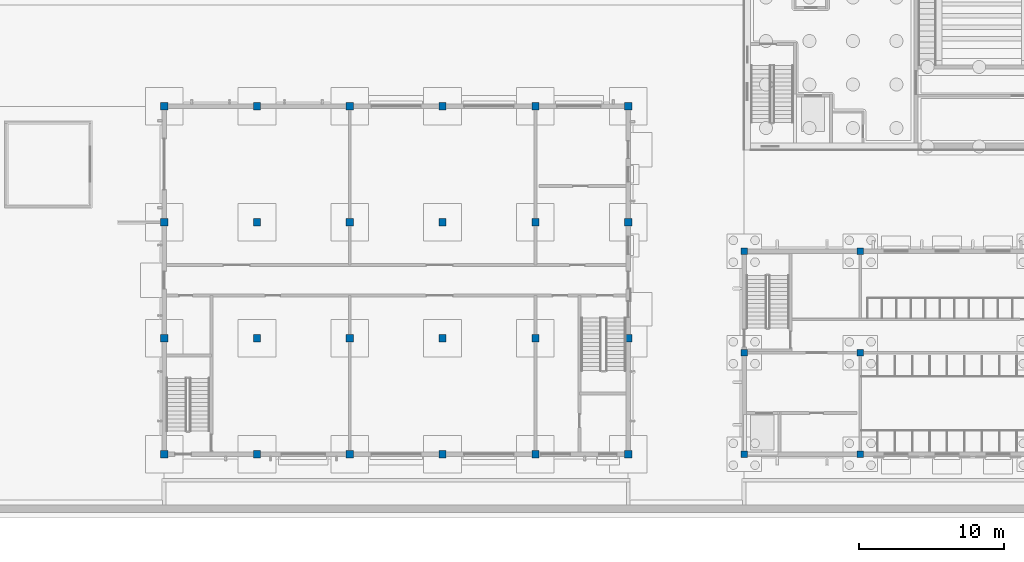
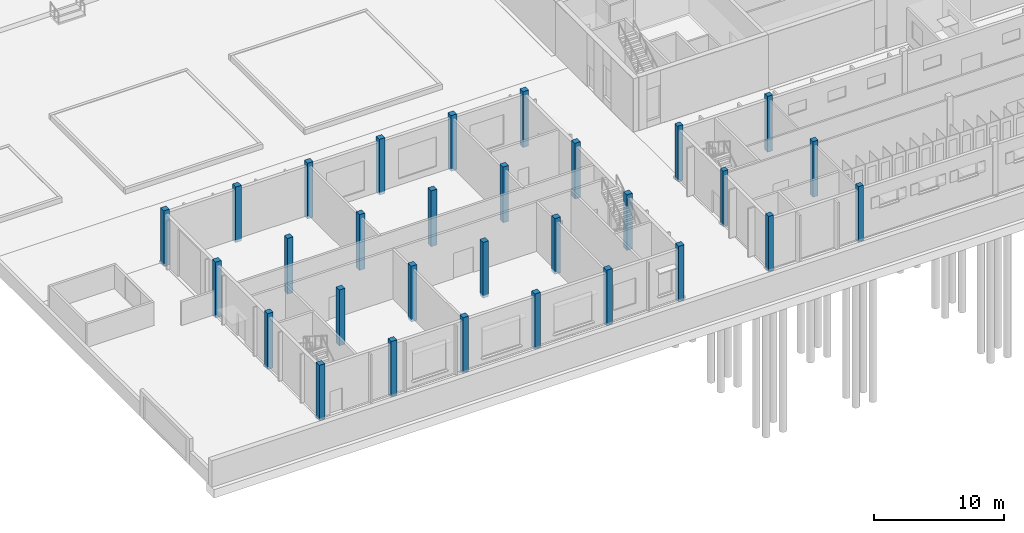
# One storey, part 8 of 157: 30 columns.
"""IFC4 building model written with IfcOpenShell, lengths in metres."""

from ifc_helpers import new_model, si_unit, direction, frame, origin, origin_2d, place, context, subcontext, project, spatial, rectangle, extrude, material, material_profile, profile_set, type_object, element, save


model = new_model("IFC4")

# Units and contexts
model_context = context("Model", 3, precision=1e-05, world=origin(), true_north=direction((0.0, 1.0)))
body_context = subcontext(model_context, "Body", "Model", "MODEL_VIEW")
ifc_project = project(units=[si_unit("LENGTHUNIT", "METRE"), si_unit("AREAUNIT", "SQUARE_METRE"), si_unit("VOLUMEUNIT", "CUBIC_METRE"), si_unit("PLANEANGLEUNIT", "RADIAN"), si_unit("MASSUNIT", "GRAM", prefix="KILO")], contexts=[model_context])

# Site, building, storey
site_placement = place(None, origin())
site = spatial("IfcSite", under=ifc_project, at=site_placement, CompositionType="ELEMENT")
building_placement = place(site_placement, origin())
building = spatial("IfcBuilding", under=site, at=building_placement, Name="Windward Yard Aquatics Centre", CompositionType="ELEMENT")
storey_placement = place(building_placement, origin())
storey = spatial("IfcBuildingStorey", under=building, at=storey_placement, Name="L00", CompositionType="ELEMENT", Elevation=0.0)

# Columns
ifc_material = material(Name="Concrete C35/45", Category="concrete")
ifc_material_profile_1 = material_profile(ifc_material, rectangle(XDim=0.449951171875, YDim=0.449951171875, at=origin_2d()), Name="RC 450X450")
ifc_profile_set_1 = profile_set([ifc_material_profile_1], Name="Concrete C35/45")
column_type_1 = type_object("IfcColumnType", Name="C column RC 450X450", PredefinedType="COLUMN", material=ifc_profile_set_1)
for number, where, z_axis, x_axis, name in (
    (1, (52.0, 5.0, -0.25), (0.0, 0.0, 1.0), (1.0, 0.0, 0.0), "C.COL.L00.1.1"),
    (2, (52.0, 12.0, -0.25), (0.0, 0.0, 1.0), (1.0, 0.0, 0.0), "C.COL.L00.1.2"),
    (3, (52.0, 19.0, -0.25), (0.0, 0.0, 1.0), (1.0, 0.0, 0.0), "C.COL.L00.1.3"),
    (4, (60.0, 5.0, -0.25), (0.0, 0.0, 1.0), (1.0, 0.0, 0.0), "C.COL.L00.2.1"),
    (5, (60.0, 12.0, -0.25), (0.0, 0.0, 1.0), (1.0, 0.0, 0.0), "C.COL.L00.2.2"),
    (6, (60.0, 19.0, -0.25), (0.0, 0.0, 1.0), (1.0, 0.0, 0.0), "C.COL.L00.2.3"),
):
    element("IfcColumn", number, at=place(storey_placement, frame(where, z_axis=z_axis, x_axis=x_axis)), inside=storey, type_object=column_type_1, Name=name, PredefinedType="COLUMN", context=body_context, shape_type="SweptSolid", body=[
        extrude(rectangle(XDim=0.449951171875, YDim=0.449951171875, at=origin_2d()), origin(), (0.0, 0.0, 1.0), 5.25),
    ])
ifc_material_profile_2 = material_profile(ifc_material, rectangle(XDim=0.5, YDim=0.5, at=origin_2d()), Name="RC 500X500")
ifc_profile_set_2 = profile_set([ifc_material_profile_2], Name="Concrete C35/45")
column_type_2 = type_object("IfcColumnType", Name="P column RC 500X500", PredefinedType="COLUMN", material=ifc_profile_set_2)
for number, where, z_axis, x_axis, name in (
    (7, (12.0, 5.0, -0.25), (0.0, 0.0, 1.0), (1.0, 0.0, 0.0), "P.COL.L00.1.1"),
    (8, (12.0, 13.0, -0.25), (0.0, 0.0, 1.0), (1.0, 0.0, 0.0), "P.COL.L00.1.2"),
    (9, (12.0, 21.0, -0.25), (0.0, 0.0, 1.0), (1.0, 0.0, 0.0), "P.COL.L00.1.3"),
    (10, (12.0, 29.0, -0.25), (0.0, 0.0, 1.0), (1.0, 0.0, 0.0), "P.COL.L00.1.4"),
    (11, (18.39990234375, 5.0, -0.25), (0.0, 0.0, 1.0), (1.0, 0.0, 0.0), "P.COL.L00.2.1"),
    (12, (18.39990234375, 13.0, -0.25), (0.0, 0.0, 1.0), (1.0, 0.0, 0.0), "P.COL.L00.2.2"),
    (13, (18.39990234375, 21.0, -0.25), (0.0, 0.0, 1.0), (1.0, 0.0, 0.0), "P.COL.L00.2.3"),
    (14, (18.39990234375, 29.0, -0.25), (0.0, 0.0, 1.0), (1.0, 0.0, 0.0), "P.COL.L00.2.4"),
    (15, (24.800048828125, 5.0, -0.25), (0.0, 0.0, 1.0), (1.0, 0.0, 0.0), "P.COL.L00.3.1"),
    (16, (24.800048828125, 13.0, -0.25), (0.0, 0.0, 1.0), (1.0, 0.0, 0.0), "P.COL.L00.3.2"),
    (17, (24.800048828125, 21.0, -0.25), (0.0, 0.0, 1.0), (1.0, 0.0, 0.0), "P.COL.L00.3.3"),
    (18, (24.800048828125, 29.0, -0.25), (0.0, 0.0, 1.0), (1.0, 0.0, 0.0), "P.COL.L00.3.4"),
    (19, (31.199951171875, 5.0, -0.25), (0.0, 0.0, 1.0), (1.0, 0.0, 0.0), "P.COL.L00.4.1"),
    (20, (31.199951171875, 13.0, -0.25), (0.0, 0.0, 1.0), (1.0, 0.0, 0.0), "P.COL.L00.4.2"),
    (21, (31.199951171875, 21.0, -0.25), (0.0, 0.0, 1.0), (1.0, 0.0, 0.0), "P.COL.L00.4.3"),
    (22, (31.199951171875, 29.0, -0.25), (0.0, 0.0, 1.0), (1.0, 0.0, 0.0), "P.COL.L00.4.4"),
    (23, (37.60009765625, 5.0, -0.25), (0.0, 0.0, 1.0), (1.0, 0.0, 0.0), "P.COL.L00.5.1"),
    (24, (37.60009765625, 13.0, -0.25), (0.0, 0.0, 1.0), (1.0, 0.0, 0.0), "P.COL.L00.5.2"),
    (25, (37.60009765625, 21.0, -0.25), (0.0, 0.0, 1.0), (1.0, 0.0, 0.0), "P.COL.L00.5.3"),
    (26, (37.60009765625, 29.0, -0.25), (0.0, 0.0, 1.0), (1.0, 0.0, 0.0), "P.COL.L00.5.4"),
    (27, (44.0, 5.0, -0.25), (0.0, 0.0, 1.0), (1.0, 0.0, 0.0), "P.COL.L00.6.1"),
    (28, (44.0, 13.0, -0.25), (0.0, 0.0, 1.0), (1.0, 0.0, 0.0), "P.COL.L00.6.2"),
    (29, (44.0, 21.0, -0.25), (0.0, 0.0, 1.0), (1.0, 0.0, 0.0), "P.COL.L00.6.3"),
    (30, (44.0, 29.0, -0.25), (0.0, 0.0, 1.0), (1.0, 0.0, 0.0), "P.COL.L00.6.4"),
):
    element("IfcColumn", number, at=place(storey_placement, frame(where, z_axis=z_axis, x_axis=x_axis)), inside=storey, type_object=column_type_2, Name=name, PredefinedType="COLUMN", context=body_context, shape_type="SweptSolid", body=[
        extrude(rectangle(XDim=0.5, YDim=0.5, at=origin_2d()), origin(), (0.0, 0.0, 1.0), 5.25),
    ])

save(model, "model.ifc")
